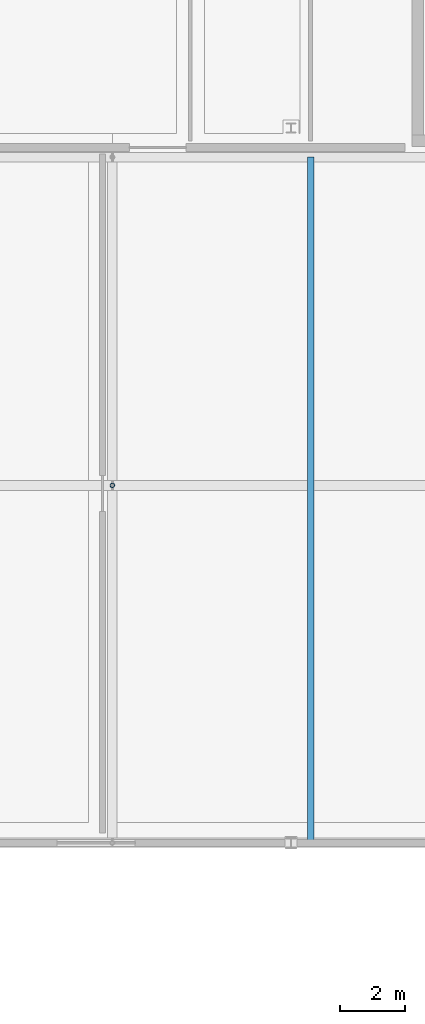
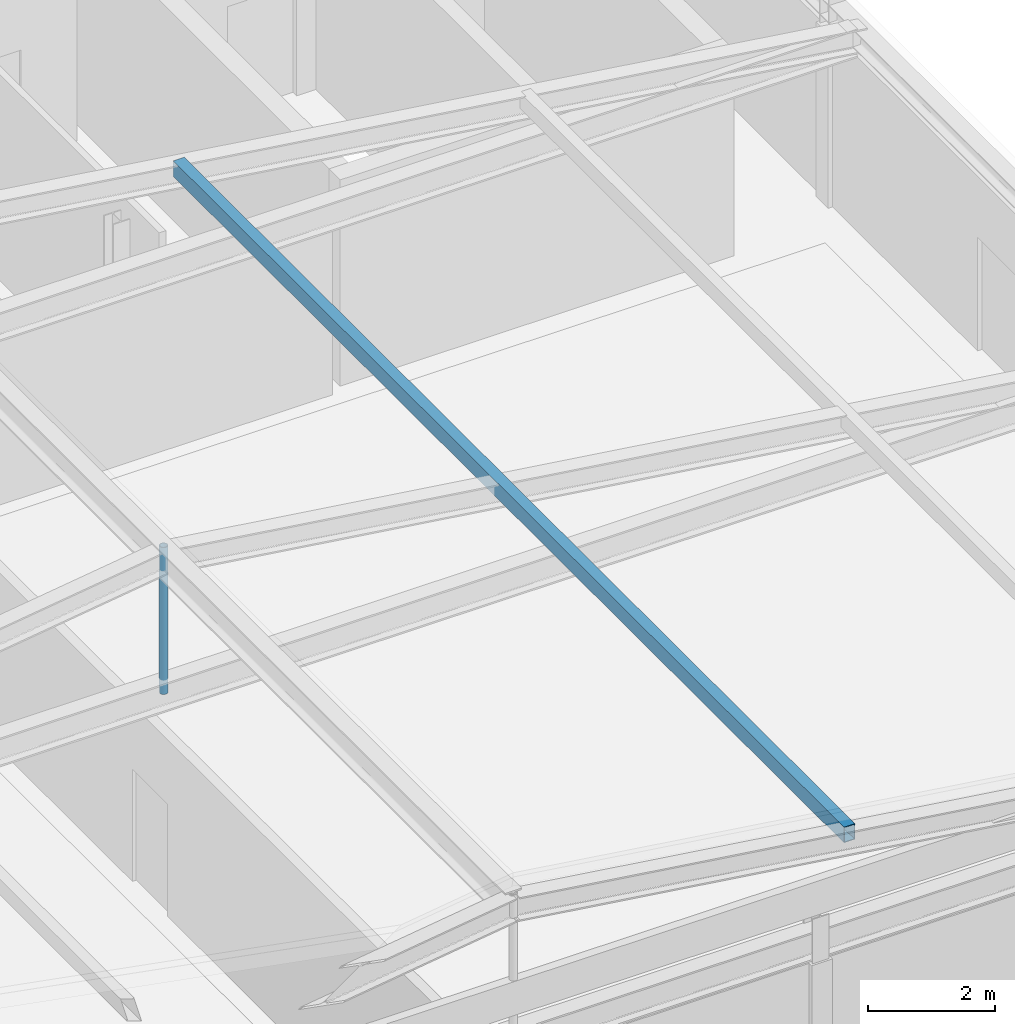
# One storey, part 14 of 63: 2 members.
"""IFC4 building model written with IfcOpenShell, lengths in metres."""

from ifc_helpers import new_model, si_unit, direction, frame, origin, origin_2d, place, context, subcontext, project, spatial, hollow_rectangle, hollow_circle, extrude, material, material_profile, profile_set, type_object, element, save


model = new_model("IFC4")

# Units and contexts
model_context = context("Model", 3, precision=1e-05, world=origin(), true_north=direction((0.0, 1.0)))
body_context = subcontext(model_context, "Body", "Model", "MODEL_VIEW")
ifc_project = project(units=[si_unit("LENGTHUNIT", "METRE"), si_unit("AREAUNIT", "SQUARE_METRE"), si_unit("VOLUMEUNIT", "CUBIC_METRE"), si_unit("PLANEANGLEUNIT", "RADIAN"), si_unit("MASSUNIT", "GRAM", prefix="KILO")], contexts=[model_context])

# Site, building, storey
site_placement = place(None, origin())
site = spatial("IfcSite", under=ifc_project, at=site_placement, CompositionType="ELEMENT")
building_placement = place(site_placement, origin())
building = spatial("IfcBuilding", under=site, at=building_placement, Name="Tarnveldt Headland Concert Hall", CompositionType="ELEMENT")
storey_placement = place(building_placement, frame((0.0, 0.0, 14.39990234375)))
storey = spatial("IfcBuildingStorey", under=building, at=storey_placement, Name="L03", CompositionType="ELEMENT", Elevation=14.39990234375)

# Members
ifc_material = material(Name="Steel S355", Category="steel")
ifc_material_profile_1 = material_profile(ifc_material, hollow_rectangle(XDim=0.199951171875, YDim=0.300048828125, WallThickness=0.012451171875, at=origin_2d()), Name="RHS 300x200x12.5", Category="steel")
ifc_profile_set_1 = profile_set([ifc_material_profile_1], Name="Steel S355")
member_type_1 = type_object("IfcMemberType", Name="PR-RHS300", PredefinedType="PURLIN", material=ifc_profile_set_1)
member_1_placement = place(storey_placement, frame((32.10498046875, 60.0, 5.502197265625), z_axis=(0.0, 1.0, 0.0), x_axis=(-1.0, 0.0, 0.0)))
element("IfcMember", 1, at=member_1_placement, inside=storey, type_object=member_type_1, Name="Rehearsal roof purlin SE-67", PredefinedType="PURLIN", context=body_context, shape_type="SweptSolid", body=[
    extrude(hollow_rectangle(XDim=0.199951171875, YDim=0.300048828125, WallThickness=0.012451171875, at=origin_2d()), origin(), (0.0, 0.0, 1.0), 21.10009765625),
])
ifc_material_profile_2 = material_profile(ifc_material, hollow_circle(Radius=0.06982421875, WallThickness=0.010009765625, at=origin_2d()), Name="CHS 139.7x10", Category="steel")
ifc_profile_set_2 = profile_set([ifc_material_profile_2], Name="Steel S355")
member_type_2 = type_object("IfcMemberType", Name="TR-WEB140", PredefinedType="BRACE", material=ifc_profile_set_2)
member_2_placement = place(storey_placement, frame((26.0, 71.0, 3.68017578125), z_axis=(0.0, 0.0, 1.0), x_axis=(1.0, 0.0, 0.0)))
element("IfcMember", 2, at=member_2_placement, inside=storey, type_object=member_type_2, Name="KP-02 Roof truss kingpost strut S-2", PredefinedType="BRACE", context=body_context, shape_type="SweptSolid", body=[
    extrude(hollow_circle(Radius=0.06982421875, WallThickness=0.010009765625, at=origin_2d()), origin(), (0.0, 0.0, 1.0), 2.81982421875),
])

save(model, "model.ifc")
